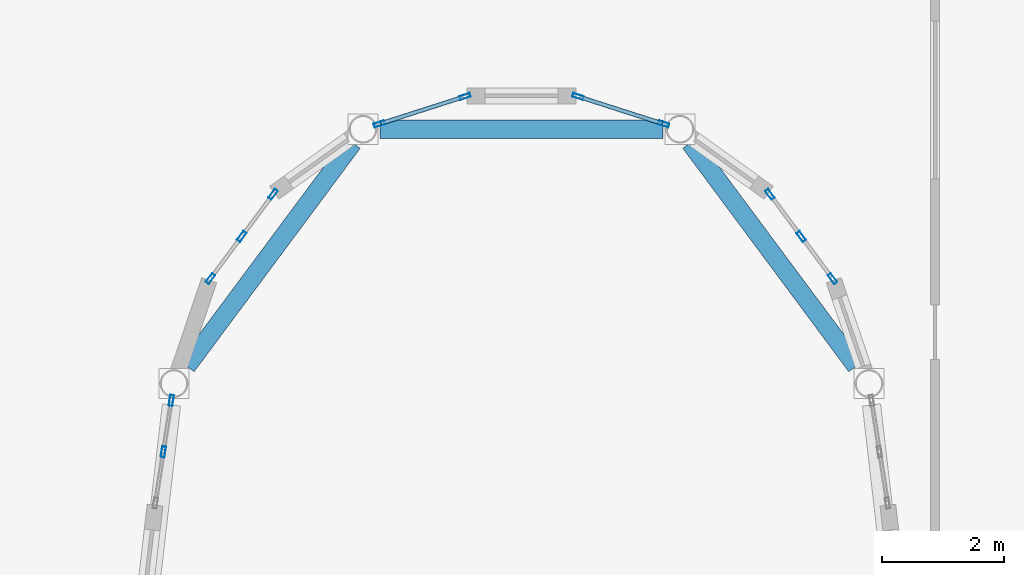
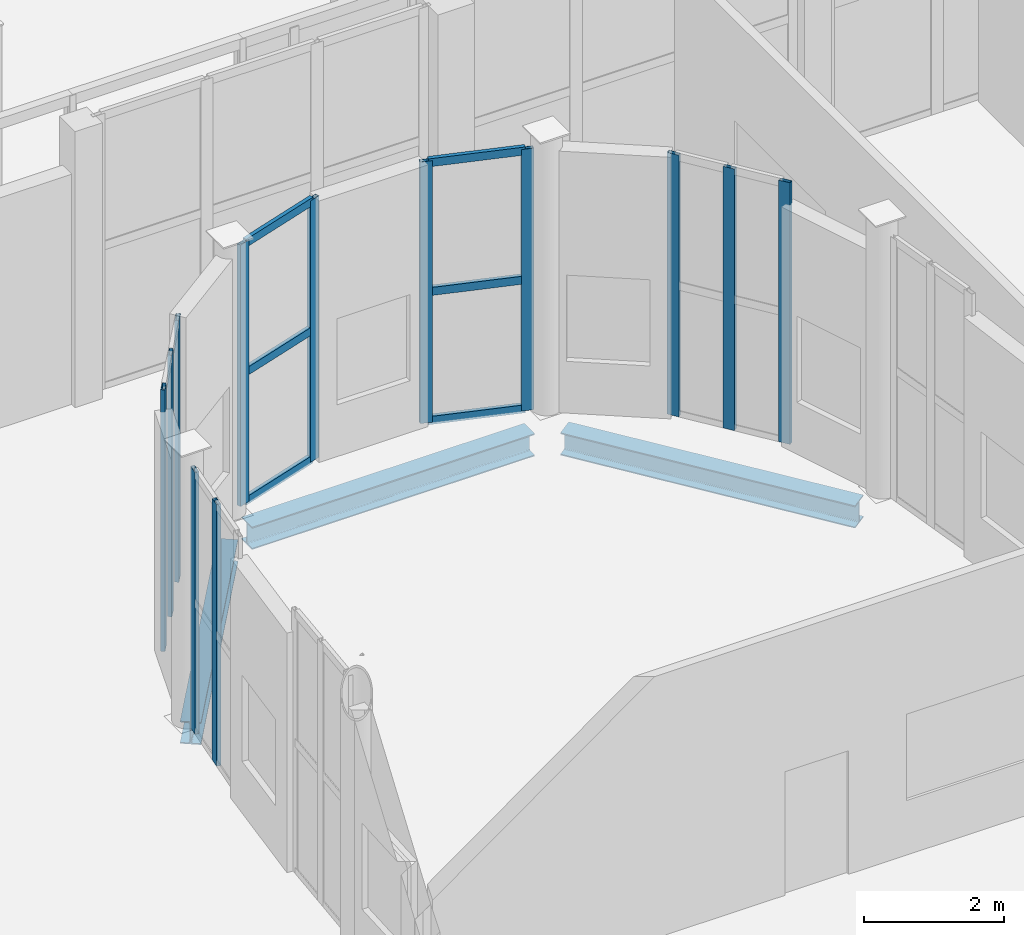
# One storey, part 44 of 91: 18 members, 3 beams, 5 elements without a shape of their own.
"""IFC4 building model written with IfcOpenShell, lengths in metres."""

from ifc_helpers import new_model, si_unit, direction, frame, origin, origin_2d, place, context, subcontext, project, spatial, hollow_rectangle, i_section, extrude, material, layer, layer_set, material_profile, profile_set, type_object, element, aggregate, save


model = new_model("IFC4")

# Units and contexts
model_context = context("Model", 3, precision=1e-05, world=origin(), true_north=direction((0.0, 1.0)))
body_context = subcontext(model_context, "Body", "Model", "MODEL_VIEW")
ifc_project = project(units=[si_unit("LENGTHUNIT", "METRE"), si_unit("AREAUNIT", "SQUARE_METRE"), si_unit("VOLUMEUNIT", "CUBIC_METRE"), si_unit("PLANEANGLEUNIT", "RADIAN"), si_unit("MASSUNIT", "GRAM", prefix="KILO")], contexts=[model_context])

# Site, building, storey
site_placement = place(None, origin())
site = spatial("IfcSite", under=ifc_project, at=site_placement, CompositionType="ELEMENT")
building_placement = place(site_placement, origin())
building = spatial("IfcBuilding", under=site, at=building_placement, Name="Vinh Khe Railworks Police Headquarters", CompositionType="ELEMENT")
storey_placement = place(building_placement, origin())
storey = spatial("IfcBuildingStorey", under=building, at=storey_placement, Name="L00", CompositionType="ELEMENT", Elevation=0.0)

# Curtain wall, members
ifc_material_1 = material(Name="Anodised aluminium and acoustic laminated glass", Category="aluminium")
ifc_layer = layer(ifc_material_1, 0.159912109375)
ifc_layer_set = layer_set([ifc_layer], Name="Anodised aluminium and acoustic laminated glass")
curtain_wall_type = type_object("IfcCurtainWallType", Name="CW-DRUM-CHORD", PredefinedType="USERDEFINED", material=ifc_layer_set)
curtain_wall_1_placement = place(storey_placement, origin())
curtain_wall_1 = element("IfcCurtainWall", 1, at=curtain_wall_1_placement, inside=storey, type_object=curtain_wall_type, Name="Elliptical Command Drum Glazing L00 Chord 11", ObjectType="DRUM FACADE GLAZING", PredefinedType="USERDEFINED")
ifc_material_2 = material(Name="Anodised aluminium 6063-T6", Category="aluminium")
ifc_material_profile_1 = material_profile(ifc_material_2, hollow_rectangle(XDim=0.06494140625, YDim=0.179931640625, WallThickness=0.0048828125, at=origin_2d()), Name="CW-M 65x180x5")
ifc_profile_set_1 = profile_set([ifc_material_profile_1], Name="Anodised aluminium 6063-T6")
member_type_1 = type_object("IfcMemberType", Name="MULL-CWM-02", PredefinedType="MULLION", material=ifc_profile_set_1)
member_1_placement = place(storey_placement, frame((48.314697265625, 52.77978515625, 0.0), z_axis=(0.0, 0.0, 1.0), x_axis=(-0.802591949394, -0.596528425784, 0.0)))
member_1 = element("IfcMember", 2, at=member_1_placement, type_object=member_type_1, Name="CW-02 mullion 1", PredefinedType="MULLION", context=body_context, shape_type="SweptSolid", body=[
    extrude(hollow_rectangle(XDim=0.06494140625, YDim=0.179931640625, WallThickness=0.0048828125, at=origin_2d()), origin(), (0.0, 0.0, 1.0), 4.550048828125),
])
member_2_placement = place(storey_placement, frame((47.799072265625, 53.4736328125, 0.0), z_axis=(0.0, 0.0, 1.0), x_axis=(-0.802591949394, -0.596528425784, 0.0)))
member_2 = element("IfcMember", 3, at=member_2_placement, type_object=member_type_1, Name="CW-02 mullion 2", PredefinedType="MULLION", context=body_context, shape_type="SweptSolid", body=[
    extrude(hollow_rectangle(XDim=0.06494140625, YDim=0.179931640625, WallThickness=0.0048828125, at=origin_2d()), origin(), (0.0, 0.0, 1.0), 4.550048828125),
])
member_3_placement = place(storey_placement, frame((47.283447265625, 54.16748046875, 0.0), z_axis=(0.0, 0.0, 1.0), x_axis=(-0.802591949394, -0.596528425784, 0.0)))
member_3 = element("IfcMember", 4, at=member_3_placement, type_object=member_type_1, Name="CW-02 mullion 3", PredefinedType="MULLION", context=body_context, shape_type="SweptSolid", body=[
    extrude(hollow_rectangle(XDim=0.06494140625, YDim=0.179931640625, WallThickness=0.0048828125, at=origin_2d()), origin(), (0.0, 0.0, 1.0), 4.550048828125),
])
aggregate(curtain_wall_1, [member_1, member_2, member_3])

curtain_wall_2_placement = place(storey_placement, origin())
curtain_wall_2 = element("IfcCurtainWall", 5, at=curtain_wall_2_placement, inside=storey, type_object=curtain_wall_type, Name="Elliptical Command Drum Glazing L00 Chord 13", ObjectType="DRUM FACADE GLAZING", PredefinedType="USERDEFINED")
member_4_placement = place(storey_placement, frame((45.53759765625, 55.3232421875, 0.0), z_axis=(0.0, 0.0, 1.0), x_axis=(-0.30557599733, -0.952167689987, 0.0)))
member_4 = element("IfcMember", 6, at=member_4_placement, type_object=member_type_1, Name="CW-02 mullion 1", PredefinedType="MULLION", context=body_context, shape_type="SweptSolid", body=[
    extrude(hollow_rectangle(XDim=0.06494140625, YDim=0.179931640625, WallThickness=0.0048828125, at=origin_2d()), origin(), (0.0, 0.0, 1.0), 4.550048828125),
])
member_5_placement = place(storey_placement, frame((44.1279296875, 55.775634765625, 0.0), z_axis=(0.0, 0.0, 1.0), x_axis=(-0.30557599733, -0.952167689987, 0.0)))
member_5 = element("IfcMember", 7, at=member_5_placement, type_object=member_type_1, Name="CW-02 mullion 2", PredefinedType="MULLION", context=body_context, shape_type="SweptSolid", body=[
    extrude(hollow_rectangle(XDim=0.06494140625, YDim=0.179931640625, WallThickness=0.0048828125, at=origin_2d()), origin(), (0.0, 0.0, 1.0), 4.550048828125),
])

curtain_wall_3_placement = place(storey_placement, origin())
curtain_wall_3 = element("IfcCurtainWall", 8, at=curtain_wall_3_placement, inside=storey, type_object=curtain_wall_type, Name="Elliptical Command Drum Glazing L00 Chord 15", ObjectType="DRUM FACADE GLAZING", PredefinedType="USERDEFINED")
member_6_placement = place(storey_placement, frame((42.27197265625, 55.775634765625, 0.0), z_axis=(0.0, 0.0, 1.0), x_axis=(0.30557599733, -0.952167689987, 0.0)))
member_6 = element("IfcMember", 9, at=member_6_placement, type_object=member_type_1, Name="CW-02 mullion 1", PredefinedType="MULLION", context=body_context, shape_type="SweptSolid", body=[
    extrude(hollow_rectangle(XDim=0.06494140625, YDim=0.179931640625, WallThickness=0.0048828125, at=origin_2d()), origin(), (0.0, 0.0, 1.0), 4.550048828125),
])
member_7_placement = place(storey_placement, frame((40.862548828125, 55.3232421875, 0.0), z_axis=(0.0, 0.0, 1.0), x_axis=(0.30557599733, -0.952167689987, 0.0)))
member_7 = element("IfcMember", 10, at=member_7_placement, type_object=member_type_1, Name="CW-02 mullion 2", PredefinedType="MULLION", context=body_context, shape_type="SweptSolid", body=[
    extrude(hollow_rectangle(XDim=0.06494140625, YDim=0.179931640625, WallThickness=0.0048828125, at=origin_2d()), origin(), (0.0, 0.0, 1.0), 4.550048828125),
])

curtain_wall_4_placement = place(storey_placement, origin())
curtain_wall_4 = element("IfcCurtainWall", 11, at=curtain_wall_4_placement, inside=storey, type_object=curtain_wall_type, Name="Elliptical Command Drum Glazing L00 Chord 17", ObjectType="DRUM FACADE GLAZING", PredefinedType="USERDEFINED")
member_8_placement = place(storey_placement, frame((39.11669921875, 54.16748046875, 0.0), z_axis=(0.0, 0.0, 1.0), x_axis=(0.802591949394, -0.596528425784, 0.0)))
member_8 = element("IfcMember", 12, at=member_8_placement, type_object=member_type_1, Name="CW-02 mullion 1", PredefinedType="MULLION", context=body_context, shape_type="SweptSolid", body=[
    extrude(hollow_rectangle(XDim=0.06494140625, YDim=0.179931640625, WallThickness=0.0048828125, at=origin_2d()), origin(), (0.0, 0.0, 1.0), 4.550048828125),
])
member_9_placement = place(storey_placement, frame((38.60107421875, 53.4736328125, 0.0), z_axis=(0.0, 0.0, 1.0), x_axis=(0.802591949394, -0.596528425784, 0.0)))
member_9 = element("IfcMember", 13, at=member_9_placement, type_object=member_type_1, Name="CW-02 mullion 2", PredefinedType="MULLION", context=body_context, shape_type="SweptSolid", body=[
    extrude(hollow_rectangle(XDim=0.06494140625, YDim=0.179931640625, WallThickness=0.0048828125, at=origin_2d()), origin(), (0.0, 0.0, 1.0), 4.550048828125),
])
member_10_placement = place(storey_placement, frame((38.085205078125, 52.77978515625, 0.0), z_axis=(0.0, 0.0, 1.0), x_axis=(0.802591949394, -0.596528425784, 0.0)))
member_10 = element("IfcMember", 14, at=member_10_placement, type_object=member_type_1, Name="CW-02 mullion 3", PredefinedType="MULLION", context=body_context, shape_type="SweptSolid", body=[
    extrude(hollow_rectangle(XDim=0.06494140625, YDim=0.179931640625, WallThickness=0.0048828125, at=origin_2d()), origin(), (0.0, 0.0, 1.0), 4.550048828125),
])
aggregate(curtain_wall_4, [member_8, member_9, member_10])

curtain_wall_5_placement = place(storey_placement, origin())
curtain_wall_5 = element("IfcCurtainWall", 15, at=curtain_wall_5_placement, inside=storey, type_object=curtain_wall_type, Name="Elliptical Command Drum Glazing L00 Chord 19", ObjectType="DRUM FACADE GLAZING", PredefinedType="USERDEFINED")
member_11_placement = place(storey_placement, frame((37.44384765625, 50.7783203125, 0.0), z_axis=(0.0, 0.0, 1.0), x_axis=(0.988149989037, -0.153491365117, 0.0)))
member_11 = element("IfcMember", 16, at=member_11_placement, type_object=member_type_1, Name="CW-02 mullion 1", PredefinedType="MULLION", context=body_context, shape_type="SweptSolid", body=[
    extrude(hollow_rectangle(XDim=0.06494140625, YDim=0.179931640625, WallThickness=0.0048828125, at=origin_2d()), origin(), (0.0, 0.0, 1.0), 4.550048828125),
])
member_12_placement = place(storey_placement, frame((37.312744140625, 49.933837890625, 0.0), z_axis=(0.0, 0.0, 1.0), x_axis=(0.988149989037, -0.153491365117, 0.0)))
member_12 = element("IfcMember", 17, at=member_12_placement, type_object=member_type_1, Name="CW-02 mullion 2", PredefinedType="MULLION", context=body_context, shape_type="SweptSolid", body=[
    extrude(hollow_rectangle(XDim=0.06494140625, YDim=0.179931640625, WallThickness=0.0048828125, at=origin_2d()), origin(), (0.0, 0.0, 1.0), 4.550048828125),
])
aggregate(curtain_wall_5, [member_11, member_12])

# Beams
ifc_material_3 = material(Name="Steel S355JR", Category="steel")
ifc_material_profile_2 = material_profile(ifc_material_3, i_section(OverallWidth=0.300048828125, OverallDepth=0.389892578125, WebThickness=0.010986328125, FlangeThickness=0.01904296875, FilletRadius=0.027099609375, at=origin_2d()), Name="HEA 400")
ifc_profile_set_2 = profile_set([ifc_material_profile_2], Name="Steel S355JR")
beam_type = type_object("IfcBeamType", Name="Steel Girder HEA 400", PredefinedType="BEAM", material=ifc_profile_set_2)
beam_1_placement = place(storey_placement, frame((48.701416015625, 51.3408203125, -0.47509765625), z_axis=(-0.596545037995, 0.802579602061, 0.0), x_axis=(-0.802579602061, -0.596545037995, 0.0)))
element("IfcBeam", 18, at=beam_1_placement, inside=storey, type_object=beam_type, Name="Drum Ring Girder BM-L00-DRUM-SB-14-0398", PredefinedType="BEAM", context=body_context, shape_type="SweptSolid", body=[
    extrude(i_section(OverallWidth=0.300048828125, OverallDepth=0.389892578125, WebThickness=0.010986328125, FlangeThickness=0.01904296875, FilletRadius=0.027099609375, at=origin_2d()), origin(), (0.0, 0.0, 1.0), 4.5751953125),
])
beam_2_placement = place(storey_placement, frame((45.525146484375, 55.237548828125, -0.47509765625), z_axis=(-1.0, 0.0, 0.0), x_axis=(0.0, -1.0, 0.0)))
element("IfcBeam", 19, at=beam_2_placement, inside=storey, type_object=beam_type, Name="Drum Ring Girder BM-L00-DRUM-SB-14-0399", PredefinedType="BEAM", context=body_context, shape_type="SweptSolid", body=[
    extrude(i_section(OverallWidth=0.300048828125, OverallDepth=0.389892578125, WebThickness=0.010986328125, FlangeThickness=0.01904296875, FilletRadius=0.027099609375, at=origin_2d()), origin(), (0.0, 0.0, 1.0), 4.650146484375),
])
beam_3_placement = place(storey_placement, frame((40.427978515625, 55.0126953125, -0.47509765625), z_axis=(-0.596545037995, -0.802579602061, 0.0), x_axis=(0.802579602061, -0.596545037995, 0.0)))
element("IfcBeam", 20, at=beam_3_placement, inside=storey, type_object=beam_type, Name="Drum Ring Girder BM-L00-DRUM-SB-14-0400", PredefinedType="BEAM", context=body_context, shape_type="SweptSolid", body=[
    extrude(i_section(OverallWidth=0.300048828125, OverallDepth=0.389892578125, WebThickness=0.010986328125, FlangeThickness=0.01904296875, FilletRadius=0.027099609375, at=origin_2d()), origin(), (0.0, 0.0, 1.0), 4.5751953125),
])

# Member
ifc_material_profile_3 = material_profile(ifc_material_2, hollow_rectangle(XDim=0.06494140625, YDim=0.139892578125, WallThickness=0.00390625, at=origin_2d()), Name="CW-T 65x140x4")
ifc_profile_set_3 = profile_set([ifc_material_profile_3], Name="Anodised aluminium 6063-T6")
member_type_2 = type_object("IfcMemberType", Name="TRAN-CWT-02", PredefinedType="USERDEFINED", material=ifc_profile_set_3)
member_13_placement = place(storey_placement, frame((45.506591796875, 55.333251953125, 0.032470703125), z_axis=(-0.95214335444, 0.305651815954, 0.0), x_axis=(-0.305651815954, -0.95214335444, 0.0)))
member_13 = element("IfcMember", 21, at=member_13_placement, type_object=member_type_2, Name="CW-02 transom 1.1", ObjectType="TRANSOM", PredefinedType="USERDEFINED", context=body_context, shape_type="SweptSolid", body=[
    extrude(hollow_rectangle(XDim=0.06494140625, YDim=0.139892578125, WallThickness=0.00390625, at=origin_2d()), origin(), (0.0, 0.0, 1.0), 1.415283203125),
])

member_14_placement = place(storey_placement, frame((45.506591796875, 55.333251953125, 2.27490234375), z_axis=(-0.95214335444, 0.305651815954, 0.0), x_axis=(-0.305651815954, -0.95214335444, 0.0)))
member_14 = element("IfcMember", 22, at=member_14_placement, type_object=member_type_2, Name="CW-02 transom 1.2", ObjectType="TRANSOM", PredefinedType="USERDEFINED", context=body_context, shape_type="SweptSolid", body=[
    extrude(hollow_rectangle(XDim=0.06494140625, YDim=0.139892578125, WallThickness=0.00390625, at=origin_2d()), origin(), (0.0, 0.0, 1.0), 1.415283203125),
])

member_15_placement = place(storey_placement, frame((45.506591796875, 55.333251953125, 4.517578125), z_axis=(-0.95214335444, 0.305651815954, 0.0), x_axis=(-0.305651815954, -0.95214335444, 0.0)))
member_15 = element("IfcMember", 23, at=member_15_placement, type_object=member_type_2, Name="CW-02 transom 1.3", ObjectType="TRANSOM", PredefinedType="USERDEFINED", context=body_context, shape_type="SweptSolid", body=[
    extrude(hollow_rectangle(XDim=0.06494140625, YDim=0.139892578125, WallThickness=0.00390625, at=origin_2d()), origin(), (0.0, 0.0, 1.0), 1.415283203125),
])

aggregate(curtain_wall_2, [member_4, member_5, member_13, member_14, member_15])

member_16_placement = place(storey_placement, frame((42.2412109375, 55.765869140625, 0.032470703125), z_axis=(-0.952159464985, -0.30560162506, 0.0), x_axis=(0.30560162506, -0.952159464985, 0.0)))
member_16 = element("IfcMember", 24, at=member_16_placement, type_object=member_type_2, Name="CW-02 transom 1.1", ObjectType="TRANSOM", PredefinedType="USERDEFINED", context=body_context, shape_type="SweptSolid", body=[
    extrude(hollow_rectangle(XDim=0.06494140625, YDim=0.139892578125, WallThickness=0.00390625, at=origin_2d()), origin(), (0.0, 0.0, 1.0), 1.41552734375),
])

member_17_placement = place(storey_placement, frame((42.2412109375, 55.765869140625, 2.27490234375), z_axis=(-0.952159464985, -0.30560162506, 0.0), x_axis=(0.30560162506, -0.952159464985, 0.0)))
member_17 = element("IfcMember", 25, at=member_17_placement, type_object=member_type_2, Name="CW-02 transom 1.2", ObjectType="TRANSOM", PredefinedType="USERDEFINED", context=body_context, shape_type="SweptSolid", body=[
    extrude(hollow_rectangle(XDim=0.06494140625, YDim=0.139892578125, WallThickness=0.00390625, at=origin_2d()), origin(), (0.0, 0.0, 1.0), 1.41552734375),
])

member_18_placement = place(storey_placement, frame((42.2412109375, 55.765869140625, 4.517578125), z_axis=(-0.952159464985, -0.30560162506, 0.0), x_axis=(0.30560162506, -0.952159464985, 0.0)))
member_18 = element("IfcMember", 26, at=member_18_placement, type_object=member_type_2, Name="CW-02 transom 1.3", ObjectType="TRANSOM", PredefinedType="USERDEFINED", context=body_context, shape_type="SweptSolid", body=[
    extrude(hollow_rectangle(XDim=0.06494140625, YDim=0.139892578125, WallThickness=0.00390625, at=origin_2d()), origin(), (0.0, 0.0, 1.0), 1.41552734375),
])

aggregate(curtain_wall_3, [member_6, member_7, member_16, member_17, member_18])

save(model, "model.ifc")
